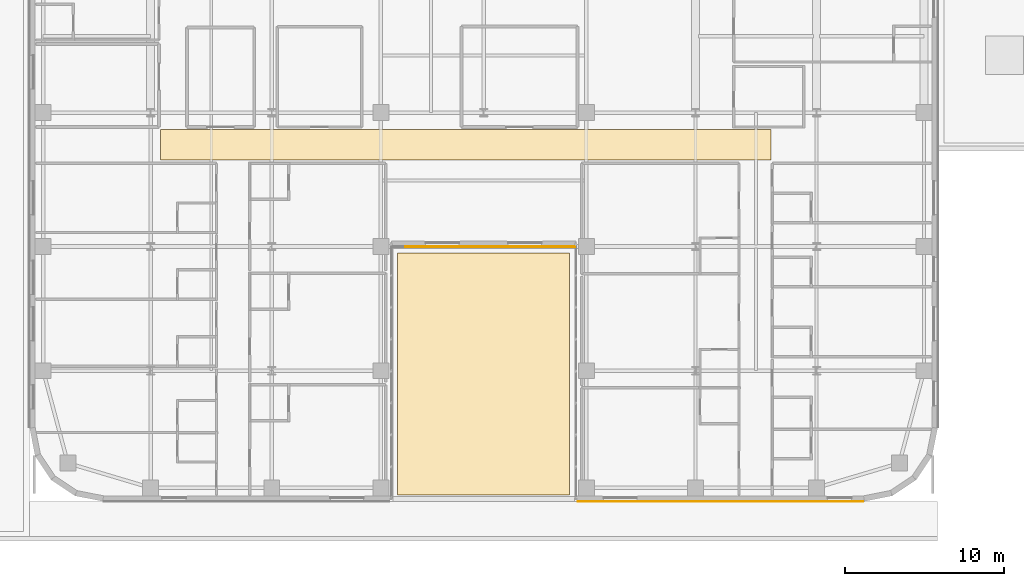
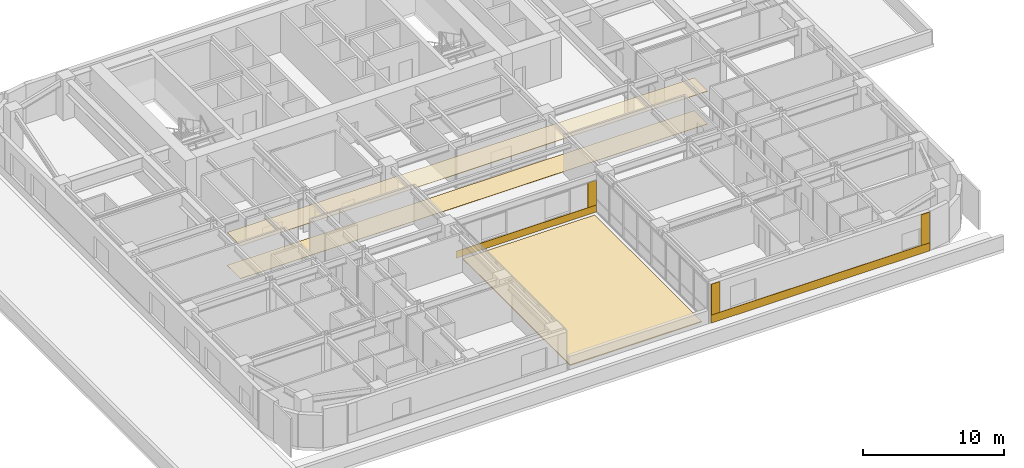
# One storey, part 21 of 25: 8 coverings.
"""IFC4 building model written with IfcOpenShell, lengths in metres."""

from ifc_helpers import new_model, si_unit, direction, frame, origin, place, context, subcontext, project, spatial, polyline, outline, extrude, material, layer, layer_set, type_object, element, save


model = new_model("IFC4")

# Units and contexts
model_context = context("Model", 3, precision=1e-05, world=origin(), true_north=direction((0.0, 1.0)))
body_context = subcontext(model_context, "Body", "Model", "MODEL_VIEW")
ifc_project = project(units=[si_unit("LENGTHUNIT", "METRE"), si_unit("AREAUNIT", "SQUARE_METRE"), si_unit("VOLUMEUNIT", "CUBIC_METRE"), si_unit("PLANEANGLEUNIT", "RADIAN"), si_unit("MASSUNIT", "GRAM", prefix="KILO")], contexts=[model_context])

# Site, building, storey
site_placement = place(None, origin())
site = spatial("IfcSite", under=ifc_project, at=site_placement, CompositionType="ELEMENT")
building_placement = place(site_placement, origin())
building = spatial("IfcBuilding", under=site, at=building_placement, Name="Tolvann Quenvar Hotel", CompositionType="ELEMENT")
storey_placement = place(building_placement, frame((0.0, 0.0, 32.0)))
storey = spatial("IfcBuildingStorey", under=building, at=storey_placement, Name="L06", CompositionType="ELEMENT", Elevation=32.0)

# Coverings
ifc_material_1 = material(Name="Micro-perforated acoustic mineral-fibre and timber-batten suspended ceiling", Category="wood")
ifc_layer_1 = layer(ifc_material_1, 0.0400390625)
ifc_layer_set_1 = layer_set([ifc_layer_1], Name="Micro-perforated acoustic mineral-fibre and timber-batten suspended ceiling")
covering_type_1 = type_object("IfcCoveringType", Name="COV_CEIL_ACOUSTIC_40", PredefinedType="CEILING", material=ifc_layer_set_1)
covering_1_placement = place(storey_placement, frame((0.0, 0.0, 2.830078125)))
element("IfcCovering", 1, at=covering_1_placement, inside=storey, type_object=covering_type_1, Name="Suspended Acoustic Ceiling (Hotel Guest Corridor L06)", PredefinedType="CEILING", context=body_context, shape_type="SweptSolid", body=[
    extrude(outline(polyline([(8.219970703125, 21.419921875), (46.530029296875, 21.419921875), (46.530029296875, 23.330078125), (8.219970703125, 23.330078125), (8.219970703125, 21.419921875)])), origin(), (0.0, 0.0, 1.0), 0.0400390625),
])
ifc_material_2 = material(Name="Kiln-fired red architectural face brick cladding", Category="masonry")
ifc_layer_2 = layer(ifc_material_2, 0.0400390625)
ifc_layer_set_2 = layer_set([ifc_layer_2], Name="Kiln-fired red architectural face brick cladding")
covering_type_2 = type_object("IfcCoveringType", Name="COV_CLAD_BRICK_40", PredefinedType="CLADDING", material=ifc_layer_set_2)
covering_2_placement = place(storey_placement, frame((0.0, 0.0, 0.6044921875)))
element("IfcCovering", 2, at=covering_2_placement, inside=storey, type_object=covering_type_2, Name="Brick Pier Cladding (L06-E06-P2)", PredefinedType="CLADDING", context=body_context, shape_type="SweptSolid", body=[
    extrude(outline(polyline([(33.5400390625, 16.0), (34.239990234375, 16.0), (34.239990234375, 15.9599609375), (33.5400390625, 15.9599609375), (33.5400390625, 16.0)])), origin(), (0.0, 0.0, 1.0), 2.1435546875),
])
covering_3_placement = place(storey_placement, frame((0.0, 0.0, 0.699951171875)))
element("IfcCovering", 3, at=covering_3_placement, inside=storey, type_object=covering_type_2, Name="Brick Pier Cladding (L06-E08-P1)", PredefinedType="CLADDING", context=body_context, shape_type="SweptSolid", body=[
    extrude(outline(polyline([(34.425048828125, 0.0), (35.125, 0.0), (35.125, -0.0400390625), (34.425048828125, -0.0400390625), (34.425048828125, 0.0)])), origin(), (0.0, 0.0, 1.0), 2.670166015625),
])
covering_4_placement = place(storey_placement, frame((0.0, 0.0, 0.699951171875)))
element("IfcCovering", 4, at=covering_4_placement, inside=storey, type_object=covering_type_2, Name="Brick Pier Cladding (L06-E08-P2)", PredefinedType="CLADDING", context=body_context, shape_type="SweptSolid", body=[
    extrude(outline(polyline([(51.6328125, 0.0), (52.332763671875, 0.0), (52.332763671875, -0.0400390625), (51.6328125, -0.0400390625), (51.6328125, 0.0)])), origin(), (0.0, 0.0, 1.0), 2.670166015625),
])
ifc_material_3 = material(Name="Moulded buff architectural terracotta spandrel cladding", Category="masonry")
ifc_layer_3 = layer(ifc_material_3, 0.0400390625)
ifc_layer_set_3 = layer_set([ifc_layer_3], Name="Moulded buff architectural terracotta spandrel cladding")
covering_type_3 = type_object("IfcCoveringType", Name="COV_CLAD_TERRA_40", PredefinedType="CLADDING", material=ifc_layer_set_3)
covering_5_placement = place(storey_placement, origin())
element("IfcCovering", 5, at=covering_5_placement, inside=storey, type_object=covering_type_3, Name="Terracotta Spandrel Cladding (L06-E06)", PredefinedType="CLADDING", context=body_context, shape_type="SweptSolid", body=[
    extrude(outline(polyline([(22.75, 16.0), (34.25, 16.0), (34.25, 15.9599609375), (22.75, 15.9599609375), (22.75, 16.0)])), origin(), (0.0, 0.0, 1.0), 0.6044921875),
])
covering_6_placement = place(storey_placement, origin())
element("IfcCovering", 6, at=covering_6_placement, inside=storey, type_object=covering_type_3, Name="Terracotta Spandrel Cladding (L06-E08)", PredefinedType="CLADDING", context=body_context, shape_type="SweptSolid", body=[
    extrude(outline(polyline([(34.4150390625, 0.0), (52.3427734375, 0.0), (52.3427734375, -0.0400390625), (34.4150390625, -0.0400390625), (34.4150390625, 0.0)])), origin(), (0.0, 0.0, 1.0), 0.699951171875),
])
ifc_material_4 = material(Name="Honed Australian bluestone, terrazzo and engineered oak flooring", Category="masonry")
ifc_layer_4 = layer(ifc_material_4, 0.02001953125)
ifc_layer_set_4 = layer_set([ifc_layer_4], Name="Honed Australian bluestone, terrazzo and engineered oak flooring")
covering_type_4 = type_object("IfcCoveringType", Name="COV_FLOOR_STONE_20", PredefinedType="FLOORING", material=ifc_layer_set_4)
covering_7_placement = place(storey_placement, origin())
element("IfcCovering", 7, at=covering_7_placement, inside=storey, type_object=covering_type_4, Name="Architectural Floor Finish (Hotel Guest Corridor L06)", PredefinedType="FLOORING", context=body_context, shape_type="SweptSolid", body=[
    extrude(outline(polyline([(8.219970703125, 21.419921875), (46.530029296875, 21.419921875), (46.530029296875, 23.330078125), (8.219970703125, 23.330078125), (8.219970703125, 21.419921875)])), origin(), (0.0, 0.0, 1.0), 0.02001953125),
])
ifc_material_5 = material(Name="Elastomeric SBS waterproof roofing membrane and rigid insulation")
ifc_layer_5 = layer(ifc_material_5, 0.080078125)
ifc_layer_set_5 = layer_set([ifc_layer_5], Name="Elastomeric SBS waterproof roofing membrane and rigid insulation")
covering_type_5 = type_object("IfcCoveringType", Name="COV_ROOF_MEMB_80", PredefinedType="ROOFING", material=ifc_layer_set_5)
covering_8_placement = place(storey_placement, origin())
element("IfcCovering", 8, at=covering_8_placement, inside=storey, type_object=covering_type_5, Name="Waterproof Roof Membrane (ROOFING-L06-SLOT)", PredefinedType="ROOFING", context=body_context, shape_type="SweptSolid", body=[
    extrude(outline(polyline([(23.10009765625, 0.39990234375), (33.89990234375, 0.39990234375), (33.89990234375, 15.60009765625), (23.10009765625, 15.60009765625), (23.10009765625, 0.39990234375)])), origin(), (0.0, 0.0, 1.0), 0.080078125),
])

save(model, "model.ifc")
